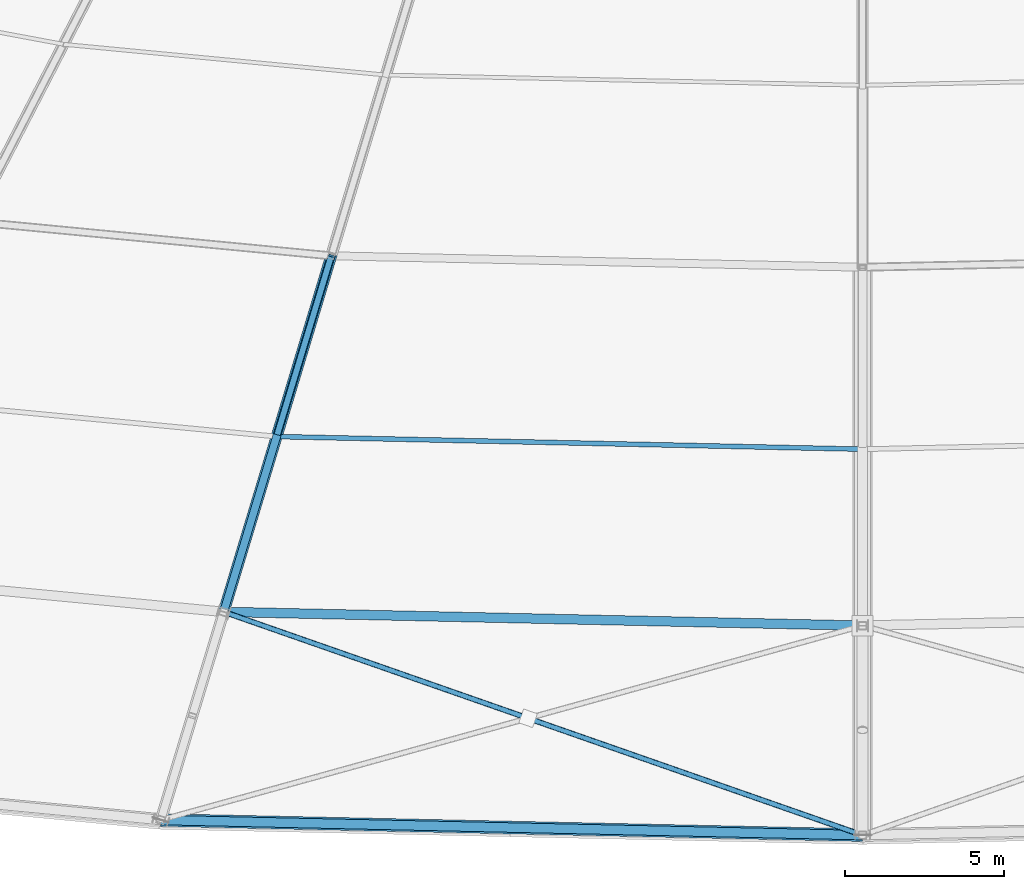
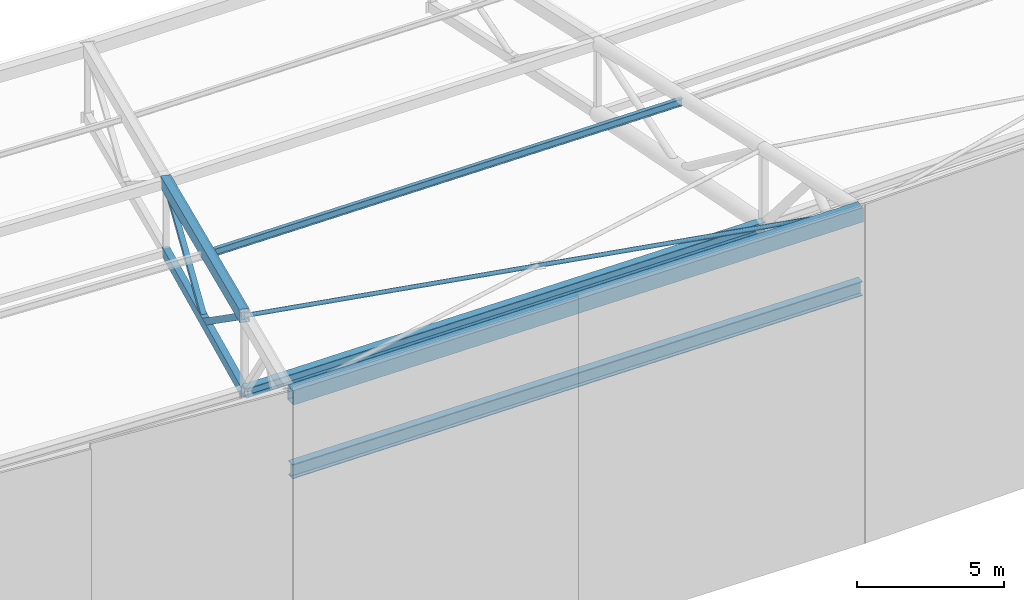
# One storey, part 30 of 143: 5 beams, 4 members.
"""IFC4 building model written with IfcOpenShell, lengths in metres."""

from ifc_helpers import new_model, si_unit, direction, frame, origin, origin_2d, place, context, subcontext, project, spatial, hollow_rectangle, hollow_circle, i_section, extrude, material, material_profile, profile_set, type_object, element, save


model = new_model("IFC4")

# Units and contexts
model_context = context("Model", 3, precision=1e-05, world=origin(), true_north=direction((0.0, 1.0)))
body_context = subcontext(model_context, "Body", "Model", "MODEL_VIEW")
ifc_project = project(units=[si_unit("LENGTHUNIT", "METRE"), si_unit("AREAUNIT", "SQUARE_METRE"), si_unit("VOLUMEUNIT", "CUBIC_METRE"), si_unit("PLANEANGLEUNIT", "RADIAN"), si_unit("MASSUNIT", "GRAM", prefix="KILO")], contexts=[model_context])

# Site, building, storey
site_placement = place(None, origin())
site = spatial("IfcSite", under=ifc_project, at=site_placement, CompositionType="ELEMENT")
building_placement = place(site_placement, origin())
building = spatial("IfcBuilding", under=site, at=building_placement, Name="Mphavela Belvedere Stadium", CompositionType="ELEMENT")
storey_placement = place(building_placement, frame((0.0, 0.0, 28.800048828125)))
storey = spatial("IfcBuildingStorey", under=building, at=storey_placement, Name="RF", CompositionType="ELEMENT", Elevation=28.800048828125)

# Beams
ifc_material_1 = material(Name="Steel S355", Category="steel")
ifc_material_profile_1 = material_profile(ifc_material_1, hollow_rectangle(XDim=0.39990234375, YDim=0.60009765625, WallThickness=0.02001953125, at=origin_2d()), Name="RHS 600x400x20")
ifc_profile_set_1 = profile_set([ifc_material_profile_1], Name="Steel S355")
beam_type_1 = type_object("IfcBeamType", Name="BM-RING-OUT", PredefinedType="BEAM", material=ifc_profile_set_1)
beam_1_placement = place(storey_placement, frame((92.885498046875, 13.80615234375, 13.4423828125), z_axis=(0.999741024299, -0.021522118296, 0.007394779107), x_axis=(0.021522706765, 0.999768359718, 0.0)))
element("IfcBeam", 1, at=beam_1_placement, inside=storey, type_object=beam_type_1, Name="Perimeter compression ring beam RB-OUT-36", PredefinedType="BEAM", context=body_context, shape_type="SweptSolid", body=[
    extrude(hollow_rectangle(XDim=0.39990234375, YDim=0.60009765625, WallThickness=0.02001953125, at=origin_2d()), origin(), (0.0, 0.0, 1.0), 22.1201171875),
])
ifc_material_2 = material(Name="Steel S355", Category="steel")
ifc_material_profile_2 = material_profile(ifc_material_2, i_section(OverallWidth=0.300048828125, OverallDepth=0.39990234375, WebThickness=0.013427734375, FlangeThickness=0.02392578125, at=origin_2d()), Name="HEB 400")
ifc_profile_set_2 = profile_set([ifc_material_profile_2], Name="Steel S355")
beam_type_2 = type_object("IfcBeamType", Name="BM-STEEL-HEB400", PredefinedType="BEAM", material=ifc_profile_set_2)
beam_2_placement = place(storey_placement, frame((94.8671875, 20.365966796875, 8.922119140625), z_axis=(0.999741088548, -0.021518971093, 0.007395252037), x_axis=(0.02151955955, 0.999768427465, 0.0)))
element("IfcBeam", 2, at=beam_2_placement, inside=storey, type_object=beam_type_2, Name="Roof bottom-chord tie girder R3-36", PredefinedType="BEAM", context=body_context, shape_type="SweptSolid", body=[
    extrude(i_section(OverallWidth=0.300048828125, OverallDepth=0.39990234375, WebThickness=0.013427734375, FlangeThickness=0.02392578125, at=origin_2d()), origin(), (0.0, 0.0, 1.0), 20.137939453125),
])
ifc_material_3 = material(Name="Steel S355", Category="steel")
ifc_material_profile_3 = material_profile(ifc_material_3, i_section(OverallWidth=0.300048828125, OverallDepth=0.60009765625, WebThickness=0.015380859375, FlangeThickness=0.030029296875, at=origin_2d()), Name="HEB 600")
ifc_profile_set_3 = profile_set([ifc_material_profile_3], Name="Steel S355")
beam_type_3 = type_object("IfcBeamType", Name="BM-STEEL-HEB600", PredefinedType="BEAM", material=ifc_profile_set_3)
beam_3_placement = place(storey_placement, frame((92.885498046875, 13.80615234375, 10.347412109375), z_axis=(0.999741024299, -0.021522118296, 0.007394779107), x_axis=(0.021522706765, 0.999768359718, 0.0)))
element("IfcBeam", 3, at=beam_3_placement, inside=storey, type_object=beam_type_3, Name="Roof bottom-chord tie girder R4-36", PredefinedType="BEAM", context=body_context, shape_type="SweptSolid", body=[
    extrude(i_section(OverallWidth=0.300048828125, OverallDepth=0.60009765625, WebThickness=0.015380859375, FlangeThickness=0.030029296875, at=origin_2d()), origin(), (0.0, 0.0, 1.0), 22.1201171875),
])
ifc_material_4 = material(Name="Steel S355", Category="steel")
ifc_material_profile_4 = material_profile(ifc_material_4, hollow_rectangle(XDim=0.25, YDim=0.39990234375, WallThickness=0.01611328125, at=origin_2d()), Name="RHS 400x250x16")
ifc_profile_set_4 = profile_set([ifc_material_profile_4], Name="Steel S355")
beam_type_4 = type_object("IfcBeamType", Name="BM-TRUSS-BC2", PredefinedType="BEAM", material=ifc_profile_set_4)
beam_4_placement = place(storey_placement, frame((94.8671875, 20.365966796875, 8.922119140625), z_axis=(0.284329201853, 0.941007425446, -0.183471878578), x_axis=(-0.957256900703, 0.289239046564, 0.0)))
element("IfcBeam", 4, at=beam_4_placement, inside=storey, type_object=beam_type_4, Name="Radial roof truss RT-36 bottom chord 2", PredefinedType="BEAM", context=body_context, shape_type="SweptSolid", body=[
    extrude(hollow_rectangle(XDim=0.25, YDim=0.39990234375, WallThickness=0.01611328125, at=origin_2d()), origin(), (0.0, 0.0, 1.0), 11.924072265625),
])
ifc_material_5 = material(Name="Steel S355", Category="steel")
ifc_material_profile_5 = material_profile(ifc_material_5, hollow_rectangle(XDim=0.35009765625, YDim=0.5, WallThickness=0.02001953125, at=origin_2d()), Name="RHS 500x350x20")
ifc_profile_set_5 = profile_set([ifc_material_profile_5], Name="Steel S355")
beam_type_5 = type_object("IfcBeamType", Name="BM-TRUSS-TC2", PredefinedType="BEAM", material=ifc_profile_set_5)
beam_5_placement = place(storey_placement, frame((94.8671875, 20.365966796875, 12.072265625), z_axis=(0.283178825556, 0.937200174447, -0.203631003961), x_axis=(-0.957256900703, 0.289239046564, 0.0)))
element("IfcBeam", 5, at=beam_5_placement, inside=storey, type_object=beam_type_5, Name="Radial roof truss RT-36 top chord 2", PredefinedType="BEAM", context=body_context, shape_type="SweptSolid", body=[
    extrude(hollow_rectangle(XDim=0.35009765625, YDim=0.5, WallThickness=0.02001953125, at=origin_2d()), origin(), (0.0, 0.0, 1.0), 11.97265625),
])

# Members
ifc_material_6 = material(Name="Steel S355", Category="steel")
ifc_material_profile_6 = material_profile(ifc_material_6, hollow_rectangle(XDim=0.199951171875, YDim=0.199951171875, WallThickness=0.010009765625, at=origin_2d()), Name="SHS 200x200x10")
ifc_profile_set_6 = profile_set([ifc_material_profile_6], Name="Steel S355")
member_type_1 = type_object("IfcMemberType", Name="MEM-POST-SHS200", PredefinedType="POST", material=ifc_profile_set_6)
member_1_placement = place(storey_placement, frame((96.5625, 25.976318359375, 7.828369140625), z_axis=(0.276396190339, 0.91481844361, 0.294469626953), x_axis=(-0.957262667334, 0.289219960805, 0.0)))
element("IfcMember", 6, at=member_1_placement, inside=storey, type_object=member_type_1, Name="Radial roof truss RT-36 web diagonal D4", PredefinedType="POST", context=body_context, shape_type="SweptSolid", body=[
    extrude(hollow_rectangle(XDim=0.199951171875, YDim=0.199951171875, WallThickness=0.010009765625, at=origin_2d()), origin(), (0.0, 0.0, 1.0), 6.1328125),
])
ifc_material_7 = material(Name="Steel S355", Category="steel")
ifc_material_profile_7 = material_profile(ifc_material_7, hollow_rectangle(XDim=0.25, YDim=0.25, WallThickness=0.012451171875, at=origin_2d()), Name="SHS 250x250x12.5")
ifc_profile_set_7 = profile_set([ifc_material_profile_7], Name="Steel S355")
member_type_2 = type_object("IfcMemberType", Name="MEM-POST-SHS250", PredefinedType="POST", material=ifc_profile_set_7)
member_2_placement = place(storey_placement, frame((94.8671875, 20.365966796875, 12.072265625), z_axis=(0.234286186581, 0.775330726907, -0.586491471968), x_axis=(-0.95725113376, 0.289258131977, 0.0)))
element("IfcMember", 7, at=member_2_placement, inside=storey, type_object=member_type_2, Name="Radial roof truss RT-36 web diagonal D3", PredefinedType="POST", context=body_context, shape_type="SweptSolid", body=[
    extrude(hollow_rectangle(XDim=0.25, YDim=0.25, WallThickness=0.012451171875, at=origin_2d()), origin(), (0.0, 0.0, 1.0), 7.236083984375),
])
ifc_material_8 = material(Name="Steel S355", Category="steel")
ifc_material_profile_8 = material_profile(ifc_material_8, i_section(OverallWidth=0.14990234375, OverallDepth=0.300048828125, WebThickness=0.007080078125, FlangeThickness=0.0107421875, at=origin_2d()), Name="IPE 300")
ifc_profile_set_8 = profile_set([ifc_material_profile_8], Name="Steel S355")
member_type_3 = type_object("IfcMemberType", Name="MEM-PURLIN-IPE300", PredefinedType="PURLIN", material=ifc_profile_set_8)
member_3_placement = place(storey_placement, frame((96.536376953125, 25.89013671875, 10.681884765625), z_axis=(0.999740701421, -0.021534340945, 0.007402842805), x_axis=(0.021534931032, 0.999768096483, 0.0)))
element("IfcMember", 8, at=member_3_placement, inside=storey, type_object=member_type_3, Name="Saddle canopy steel purlin 36-2", PredefinedType="PURLIN", context=body_context, shape_type="SweptSolid", body=[
    extrude(i_section(OverallWidth=0.14990234375, OverallDepth=0.300048828125, WebThickness=0.007080078125, FlangeThickness=0.0107421875, at=origin_2d()), origin(), (0.0, 0.0, 1.0), 18.468505859375),
])
ifc_material_9 = material(Name="Steel S355", Category="steel")
ifc_material_profile_9 = material_profile(ifc_material_9, hollow_circle(Radius=0.084228515625, WallThickness=0.010009765625, at=origin_2d()), Name="CHS 168.3x10")
ifc_profile_set_9 = profile_set([ifc_material_profile_9], Name="Steel S355")
member_type_4 = type_object("IfcMemberType", Name="MEM-ROOF-XBRACE", PredefinedType="BRACE", material=ifc_profile_set_9)
member_4_placement = place(storey_placement, frame((94.8671875, 20.365966796875, 12.072265625), z_axis=(0.941405004544, -0.328996299306, 0.074283594836), x_axis=(0.329907782675, 0.944013164596, 0.0)))
element("IfcMember", 9, at=member_4_placement, inside=storey, type_object=member_type_4, Name="Roof diaphragm continuous X-brace A 36", PredefinedType="BRACE", context=body_context, shape_type="SweptSolid", body=[
    extrude(hollow_circle(Radius=0.084228515625, WallThickness=0.010009765625, at=origin_2d()), origin(), (0.0, 0.0, 1.0), 21.385986328125),
])

save(model, "model.ifc")
